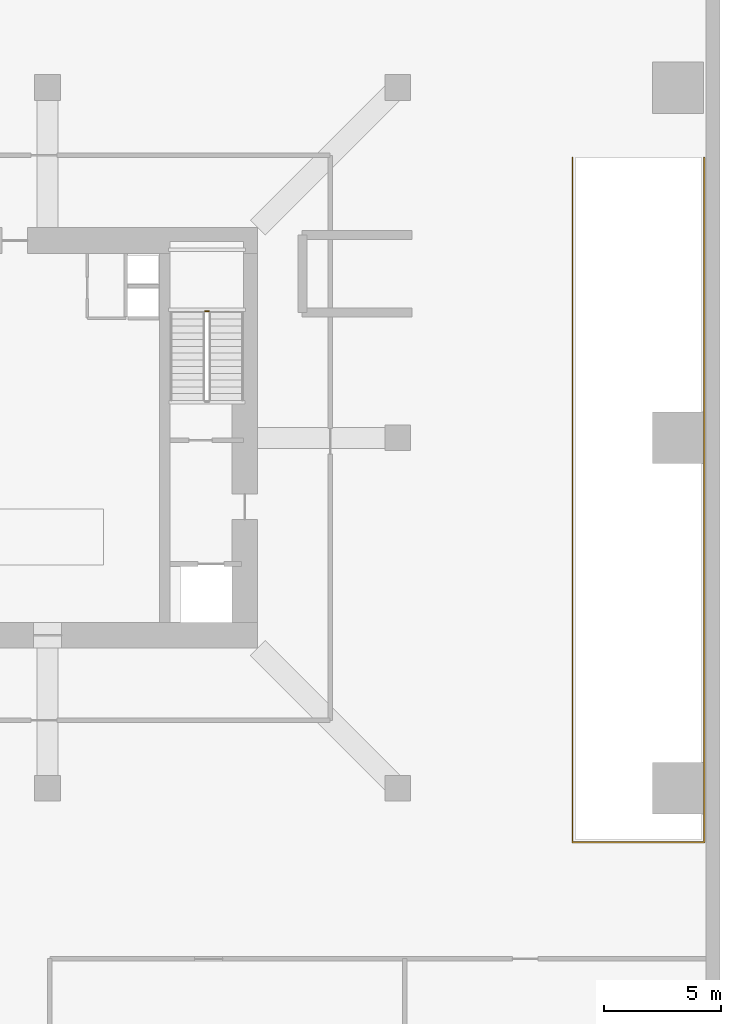
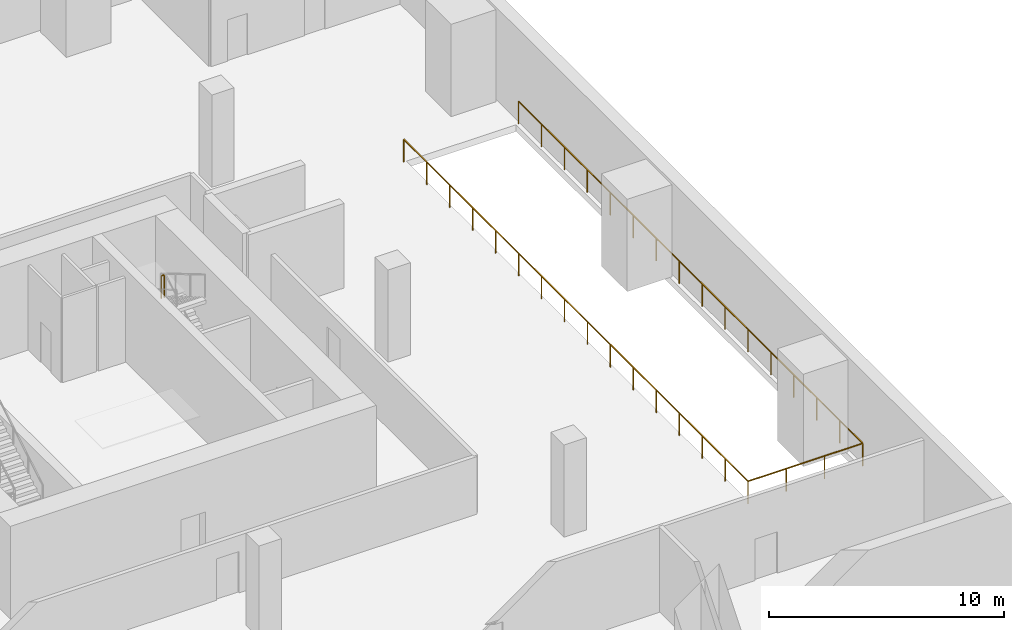
# One storey, part 6 of 6: 2 railings.
"""IFC4 building model written with IfcOpenShell, lengths in metres."""

from ifc_helpers import new_model, si_unit, direction, frame, origin, origin_2d, place, context, subcontext, project, spatial, rectangle, extrude, material, type_object, element, save


model = new_model("IFC4")

# Units and contexts
model_context = context("Model", 3, precision=1e-05, world=origin(), true_north=direction((0.0, 1.0)))
body_context = subcontext(model_context, "Body", "Model", "MODEL_VIEW")
ifc_project = project(units=[si_unit("LENGTHUNIT", "METRE"), si_unit("AREAUNIT", "SQUARE_METRE"), si_unit("VOLUMEUNIT", "CUBIC_METRE"), si_unit("PLANEANGLEUNIT", "RADIAN"), si_unit("MASSUNIT", "GRAM", prefix="KILO")], contexts=[model_context])

# Site, building, storey
site_placement = place(None, origin())
site = spatial("IfcSite", under=ifc_project, at=site_placement, CompositionType="ELEMENT")
building_placement = place(site_placement, origin())
building = spatial("IfcBuilding", under=site, at=building_placement, Name="Belovzor Exchange Tower", CompositionType="ELEMENT")
storey_placement = place(building_placement, frame((0.0, 0.0, -4.800048828125)))
storey = spatial("IfcBuildingStorey", under=building, at=storey_placement, Name="B01", CompositionType="ELEMENT", Elevation=-4.800048828125)

# Railings
ifc_material_1 = material(Name="Steel S355", Category="steel")
railing_type_1 = type_object("IfcRailingType", Name="Internal Vehicle Ramp Safety Guardrail 1200", PredefinedType="GUARDRAIL", material=ifc_material_1)
railing_1_placement = place(storey_placement, frame((51.280029296875, 40.800048828125, 0.0)))
element("IfcRailing", 1, at=railing_1_placement, inside=storey, type_object=railing_type_1, Name="GR-3 B01 Ramp Aperture Safety Guardrail", PredefinedType="GUARDRAIL", context=body_context, shape_type="SweptSolid", body=[
    extrude(rectangle(XDim=0.048095703125, YDim=0.048095703125, at=origin_2d()), frame((0.0, 0.0, 1.17578125), z_axis=(0.0, -1.0, 0.0), x_axis=(1.0, 0.0, 0.0)), (0.0, 0.0, 1.0), 29.320068359375),
    extrude(rectangle(XDim=0.048095703125, YDim=0.048095703125, at=origin_2d()), frame((0.0, -29.320068359375, 1.17578125), z_axis=(1.0, 0.0, 0.0), x_axis=(0.0, 1.0, 0.0)), (0.0, 0.0, 1.0), 5.639892578125),
    extrude(rectangle(XDim=0.048095703125, YDim=0.048095703125, at=origin_2d()), frame((5.639892578125, -29.320068359375, 1.17578125), z_axis=(0.0, 1.0, 0.0), x_axis=(-1.0, 0.0, 0.0)), (0.0, 0.0, 1.0), 29.320068359375),
    extrude(rectangle(XDim=0.0419921875, YDim=0.0419921875, at=origin_2d()), origin(), (0.0, 0.0, 1.0), 1.15185546875),
    extrude(rectangle(XDim=0.0419921875, YDim=0.0419921875, at=origin_2d()), frame((0.0, -1.95458984375, 0.0)), (0.0, 0.0, 1.0), 1.15185546875),
    extrude(rectangle(XDim=0.0419921875, YDim=0.0419921875, at=origin_2d()), frame((0.0, -3.909423828125, 0.0)), (0.0, 0.0, 1.0), 1.15185546875),
    extrude(rectangle(XDim=0.0419921875, YDim=0.0419921875, at=origin_2d()), frame((0.0, -5.864013671875, 0.0)), (0.0, 0.0, 1.0), 1.15185546875),
    extrude(rectangle(XDim=0.0419921875, YDim=0.0419921875, at=origin_2d()), frame((0.0, -7.818603515625, 0.0)), (0.0, 0.0, 1.0), 1.15185546875),
    extrude(rectangle(XDim=0.0419921875, YDim=0.0419921875, at=origin_2d()), frame((0.0, -9.7734375, 0.0)), (0.0, 0.0, 1.0), 1.15185546875),
    extrude(rectangle(XDim=0.0419921875, YDim=0.0419921875, at=origin_2d()), frame((0.0, -11.72802734375, 0.0)), (0.0, 0.0, 1.0), 1.15185546875),
    extrude(rectangle(XDim=0.0419921875, YDim=0.0419921875, at=origin_2d()), frame((0.0, -13.6826171875, 0.0)), (0.0, 0.0, 1.0), 1.15185546875),
    extrude(rectangle(XDim=0.0419921875, YDim=0.0419921875, at=origin_2d()), frame((0.0, -15.637451171875, 0.0)), (0.0, 0.0, 1.0), 1.15185546875),
    extrude(rectangle(XDim=0.0419921875, YDim=0.0419921875, at=origin_2d()), frame((0.0, -17.592041015625, 0.0)), (0.0, 0.0, 1.0), 1.15185546875),
    extrude(rectangle(XDim=0.0419921875, YDim=0.0419921875, at=origin_2d()), frame((0.0, -19.546630859375, 0.0)), (0.0, 0.0, 1.0), 1.15185546875),
    extrude(rectangle(XDim=0.0419921875, YDim=0.0419921875, at=origin_2d()), frame((0.0, -21.50146484375, 0.0)), (0.0, 0.0, 1.0), 1.15185546875),
    extrude(rectangle(XDim=0.0419921875, YDim=0.0419921875, at=origin_2d()), frame((0.0, -23.4560546875, 0.0)), (0.0, 0.0, 1.0), 1.15185546875),
    extrude(rectangle(XDim=0.0419921875, YDim=0.0419921875, at=origin_2d()), frame((0.0, -25.41064453125, 0.0)), (0.0, 0.0, 1.0), 1.15185546875),
    extrude(rectangle(XDim=0.0419921875, YDim=0.0419921875, at=origin_2d()), frame((0.0, -27.365478515625, 0.0)), (0.0, 0.0, 1.0), 1.15185546875),
    extrude(rectangle(XDim=0.0419921875, YDim=0.0419921875, at=origin_2d()), frame((0.0, -29.320068359375, 0.0)), (0.0, 0.0, 1.0), 1.15185546875),
    extrude(rectangle(XDim=0.0419921875, YDim=0.0419921875, at=origin_2d()), frame((1.8798828125, -29.320068359375, 0.0)), (0.0, 0.0, 1.0), 1.15185546875),
    extrude(rectangle(XDim=0.0419921875, YDim=0.0419921875, at=origin_2d()), frame((3.760009765625, -29.320068359375, 0.0)), (0.0, 0.0, 1.0), 1.15185546875),
    extrude(rectangle(XDim=0.0419921875, YDim=0.0419921875, at=origin_2d()), frame((5.639892578125, -29.320068359375, 0.0)), (0.0, 0.0, 1.0), 1.15185546875),
    extrude(rectangle(XDim=0.0419921875, YDim=0.0419921875, at=origin_2d()), frame((5.639892578125, -27.365478515625, 0.0)), (0.0, 0.0, 1.0), 1.15185546875),
    extrude(rectangle(XDim=0.0419921875, YDim=0.0419921875, at=origin_2d()), frame((5.639892578125, -25.41064453125, 0.0)), (0.0, 0.0, 1.0), 1.15185546875),
    extrude(rectangle(XDim=0.0419921875, YDim=0.0419921875, at=origin_2d()), frame((5.639892578125, -23.4560546875, 0.0)), (0.0, 0.0, 1.0), 1.15185546875),
    extrude(rectangle(XDim=0.0419921875, YDim=0.0419921875, at=origin_2d()), frame((5.639892578125, -21.50146484375, 0.0)), (0.0, 0.0, 1.0), 1.15185546875),
    extrude(rectangle(XDim=0.0419921875, YDim=0.0419921875, at=origin_2d()), frame((5.639892578125, -19.546630859375, 0.0)), (0.0, 0.0, 1.0), 1.15185546875),
    extrude(rectangle(XDim=0.0419921875, YDim=0.0419921875, at=origin_2d()), frame((5.639892578125, -17.592041015625, 0.0)), (0.0, 0.0, 1.0), 1.15185546875),
    extrude(rectangle(XDim=0.0419921875, YDim=0.0419921875, at=origin_2d()), frame((5.639892578125, -15.637451171875, 0.0)), (0.0, 0.0, 1.0), 1.15185546875),
    extrude(rectangle(XDim=0.0419921875, YDim=0.0419921875, at=origin_2d()), frame((5.639892578125, -13.6826171875, 0.0)), (0.0, 0.0, 1.0), 1.15185546875),
    extrude(rectangle(XDim=0.0419921875, YDim=0.0419921875, at=origin_2d()), frame((5.639892578125, -11.72802734375, 0.0)), (0.0, 0.0, 1.0), 1.15185546875),
    extrude(rectangle(XDim=0.0419921875, YDim=0.0419921875, at=origin_2d()), frame((5.639892578125, -9.7734375, 0.0)), (0.0, 0.0, 1.0), 1.15185546875),
    extrude(rectangle(XDim=0.0419921875, YDim=0.0419921875, at=origin_2d()), frame((5.639892578125, -7.818603515625, 0.0)), (0.0, 0.0, 1.0), 1.15185546875),
    extrude(rectangle(XDim=0.0419921875, YDim=0.0419921875, at=origin_2d()), frame((5.639892578125, -5.864013671875, 0.0)), (0.0, 0.0, 1.0), 1.15185546875),
    extrude(rectangle(XDim=0.0419921875, YDim=0.0419921875, at=origin_2d()), frame((5.639892578125, -3.909423828125, 0.0)), (0.0, 0.0, 1.0), 1.15185546875),
    extrude(rectangle(XDim=0.0419921875, YDim=0.0419921875, at=origin_2d()), frame((5.639892578125, -1.95458984375, 0.0)), (0.0, 0.0, 1.0), 1.15185546875),
    extrude(rectangle(XDim=0.0419921875, YDim=0.0419921875, at=origin_2d()), frame((5.639892578125, 0.0, 0.0)), (0.0, 0.0, 1.0), 1.15185546875),
])
ifc_material_2 = material(Name="Steel S355", Category="steel")
railing_type_2 = type_object("IfcRailingType", Name="Painted Steel Stairwell Guardrail 1200", PredefinedType="GUARDRAIL", material=ifc_material_2)
railing_2_placement = place(storey_placement, frame((35.699951171875, 34.219970703125, 2.400146484375)))
element("IfcRailing", 2, at=railing_2_placement, inside=storey, type_object=railing_type_2, Name="B01 ST-2 stair guard 2", PredefinedType="GUARDRAIL", context=body_context, shape_type="SweptSolid", body=[
    extrude(rectangle(XDim=0.048095703125, YDim=0.048095703125, at=origin_2d()), frame((0.0, 0.0, 1.17578125), z_axis=(-1.0, 0.0, 0.0), x_axis=(0.0, -1.0, 0.0)), (0.0, 0.0, 1.0), 0.14990234375),
    extrude(rectangle(XDim=0.0419921875, YDim=0.0419921875, at=origin_2d()), origin(), (0.0, 0.0, 1.0), 1.15185546875),
    extrude(rectangle(XDim=0.0419921875, YDim=0.0419921875, at=origin_2d()), frame((-0.14990234375, 0.0, 0.0)), (0.0, 0.0, 1.0), 1.15185546875),
])

save(model, "model.ifc")
